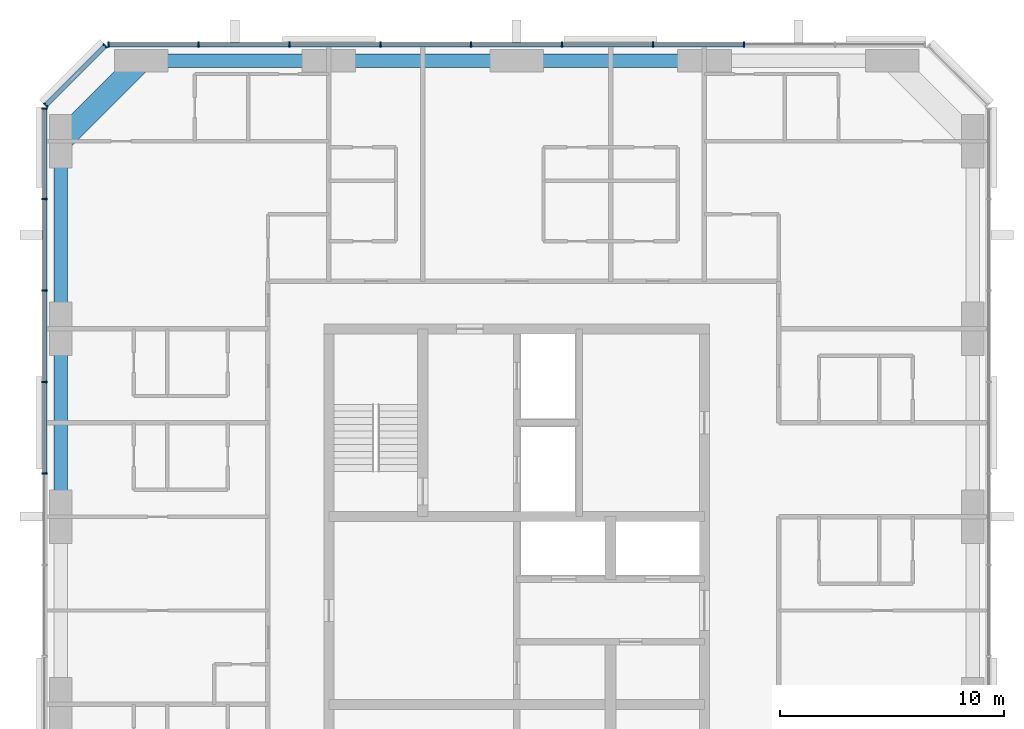
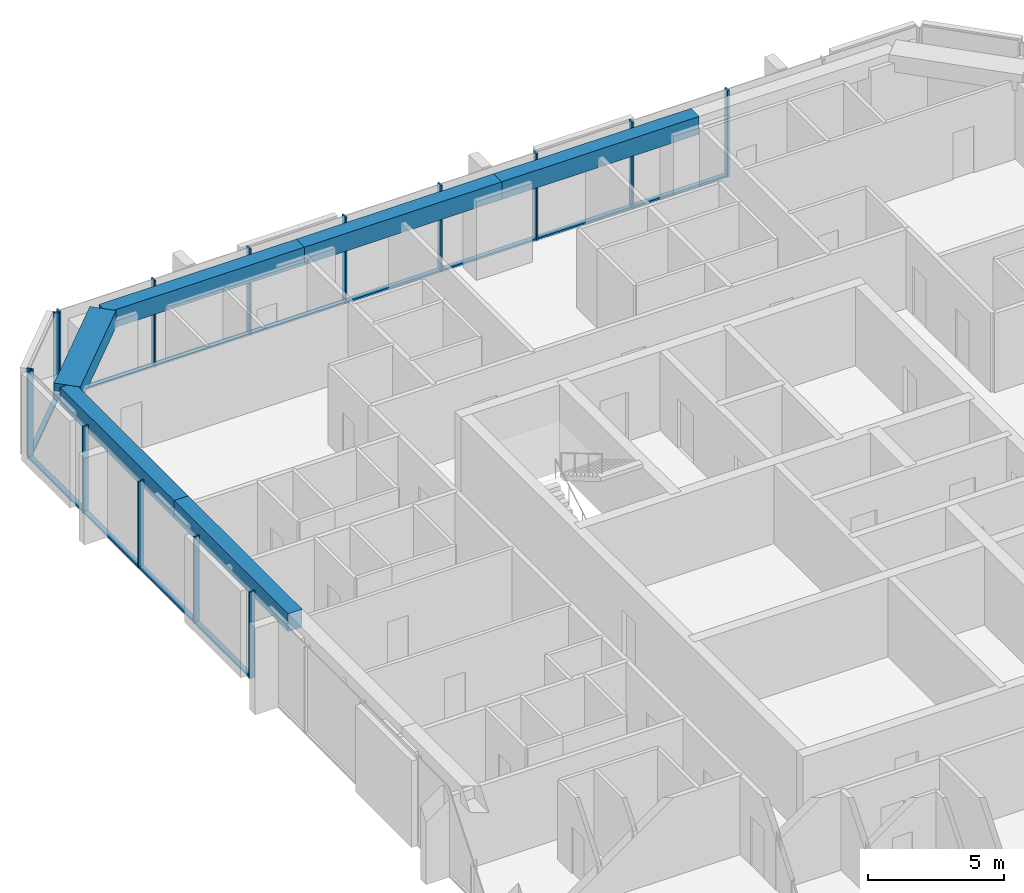
# One storey, part 4 of 12: 27 members, 6 beams, 3 elements without a shape of their own.
"""IFC4 building model written with IfcOpenShell, lengths in metres."""

from ifc_helpers import new_model, si_unit, direction, frame, origin, origin_2d, place, context, subcontext, project, spatial, rectangle, extrude, material, material_profile, profile_set, type_object, element, aggregate, save


model = new_model("IFC4")

# Units and contexts
model_context = context("Model", 3, precision=1e-05, world=origin(), true_north=direction((0.0, 1.0)))
body_context = subcontext(model_context, "Body", "Model", "MODEL_VIEW")
ifc_project = project(units=[si_unit("LENGTHUNIT", "METRE"), si_unit("AREAUNIT", "SQUARE_METRE"), si_unit("VOLUMEUNIT", "CUBIC_METRE"), si_unit("PLANEANGLEUNIT", "RADIAN"), si_unit("MASSUNIT", "GRAM", prefix="KILO")], contexts=[model_context])

# Site, building, storey
site_placement = place(None, origin())
site = spatial("IfcSite", under=ifc_project, at=site_placement, CompositionType="ELEMENT")
building_placement = place(site_placement, origin())
building = spatial("IfcBuilding", under=site, at=building_placement, Name="Dunama Terrace Hotel", CompositionType="ELEMENT")
storey_placement = place(building_placement, frame((0.0, 0.0, 272.39990234375)))
storey = spatial("IfcBuildingStorey", under=building, at=storey_placement, Name="L70", CompositionType="ELEMENT", Elevation=272.39990234375)

# Curtain wall, members
ifc_material_1 = material(Name="Aluminium curtain wall system", Category="aluminium")
curtain_wall_type = type_object("IfcCurtainWallType", Name="Unitised fritted glass wall CW-D", PredefinedType="NOTDEFINED", material=ifc_material_1)
curtain_wall_1_placement = place(storey_placement, origin())
curtain_wall_1 = element("IfcCurtainWall", 1, at=curtain_wall_1_placement, inside=storey, type_object=curtain_wall_type, Name="Unitised fritted glass wall CW-D L70", PredefinedType="NOTDEFINED")
ifc_material_2 = material(Name="Aluminium mullion", Category="aluminium")
ifc_material_profile_1 = material_profile(ifc_material_2, rectangle(XDim=0.070068359375, YDim=0.239990234375, at=origin_2d()), Name="CWD MULLION 70X240")
ifc_profile_set_1 = profile_set([ifc_material_profile_1], Name="Aluminium mullion")
member_type_1 = type_object("IfcMemberType", Name="CWD mullion 70x240", PredefinedType="MULLION", material=ifc_profile_set_1)
member_1_placement = place(storey_placement, frame((43.76708984375, 54.719970703125, 0.0), z_axis=(0.0, 0.0, 1.0), x_axis=(-1.0, 0.0, 0.0)))
member_1 = element("IfcMember", 2, at=member_1_placement, type_object=member_type_1, Name="CWD mullion", PredefinedType="MULLION", context=body_context, shape_type="SweptSolid", body=[
    extrude(rectangle(XDim=0.070068359375, YDim=0.239990234375, at=origin_2d()), origin(), (0.0, 0.0, 1.0), 3.900146484375),
])
member_2_placement = place(storey_placement, frame((39.699951171875, 54.719970703125, 0.0), z_axis=(0.0, 0.0, 1.0), x_axis=(-1.0, 0.0, 0.0)))
member_2 = element("IfcMember", 3, at=member_2_placement, type_object=member_type_1, Name="CWD mullion", PredefinedType="MULLION", context=body_context, shape_type="SweptSolid", body=[
    extrude(rectangle(XDim=0.070068359375, YDim=0.239990234375, at=origin_2d()), origin(), (0.0, 0.0, 1.0), 3.900146484375),
])
member_3_placement = place(storey_placement, frame((35.633056640625, 54.719970703125, 0.0), z_axis=(0.0, 0.0, 1.0), x_axis=(-1.0, 0.0, 0.0)))
member_3 = element("IfcMember", 4, at=member_3_placement, type_object=member_type_1, Name="CWD mullion", PredefinedType="MULLION", context=body_context, shape_type="SweptSolid", body=[
    extrude(rectangle(XDim=0.070068359375, YDim=0.239990234375, at=origin_2d()), origin(), (0.0, 0.0, 1.0), 3.900146484375),
])
member_4_placement = place(storey_placement, frame((31.56689453125, 54.719970703125, 0.0), z_axis=(0.0, 0.0, 1.0), x_axis=(-1.0, 0.0, 0.0)))
member_4 = element("IfcMember", 5, at=member_4_placement, type_object=member_type_1, Name="CWD mullion", PredefinedType="MULLION", context=body_context, shape_type="SweptSolid", body=[
    extrude(rectangle(XDim=0.070068359375, YDim=0.239990234375, at=origin_2d()), origin(), (0.0, 0.0, 1.0), 3.900146484375),
])
member_5_placement = place(storey_placement, frame((27.5, 54.719970703125, 0.0), z_axis=(0.0, 0.0, 1.0), x_axis=(-1.0, 0.0, 0.0)))
member_5 = element("IfcMember", 6, at=member_5_placement, type_object=member_type_1, Name="CWD mullion", PredefinedType="MULLION", context=body_context, shape_type="SweptSolid", body=[
    extrude(rectangle(XDim=0.070068359375, YDim=0.239990234375, at=origin_2d()), origin(), (0.0, 0.0, 1.0), 3.900146484375),
])
member_6_placement = place(storey_placement, frame((23.43310546875, 54.719970703125, 0.0), z_axis=(0.0, 0.0, 1.0), x_axis=(-1.0, 0.0, 0.0)))
member_6 = element("IfcMember", 7, at=member_6_placement, type_object=member_type_1, Name="CWD mullion", PredefinedType="MULLION", context=body_context, shape_type="SweptSolid", body=[
    extrude(rectangle(XDim=0.070068359375, YDim=0.239990234375, at=origin_2d()), origin(), (0.0, 0.0, 1.0), 3.900146484375),
])
member_7_placement = place(storey_placement, frame((19.366943359375, 54.719970703125, 0.0), z_axis=(0.0, 0.0, 1.0), x_axis=(-1.0, 0.0, 0.0)))
member_7 = element("IfcMember", 8, at=member_7_placement, type_object=member_type_1, Name="CWD mullion", PredefinedType="MULLION", context=body_context, shape_type="SweptSolid", body=[
    extrude(rectangle(XDim=0.070068359375, YDim=0.239990234375, at=origin_2d()), origin(), (0.0, 0.0, 1.0), 3.900146484375),
])
member_8_placement = place(storey_placement, frame((15.3349609375, 54.719970703125, 0.0), z_axis=(0.0, 0.0, 1.0), x_axis=(-1.0, 0.0, 0.0)))
member_8 = element("IfcMember", 9, at=member_8_placement, type_object=member_type_1, Name="CWD mullion", PredefinedType="MULLION", context=body_context, shape_type="SweptSolid", body=[
    extrude(rectangle(XDim=0.070068359375, YDim=0.239990234375, at=origin_2d()), origin(), (0.0, 0.0, 1.0), 3.900146484375),
])

curtain_wall_2_placement = place(storey_placement, origin())
curtain_wall_2 = element("IfcCurtainWall", 10, at=curtain_wall_2_placement, inside=storey, type_object=curtain_wall_type, Name="Unitised fritted glass wall CW-D L70", PredefinedType="NOTDEFINED")
member_9_placement = place(storey_placement, frame((15.18994140625, 54.659912109375, 0.0), z_axis=(0.0, 0.0, 1.0), x_axis=(-0.707106781187, -0.707106781187, 0.0)))
member_9 = element("IfcMember", 11, at=member_9_placement, type_object=member_type_1, Name="CWD mullion", PredefinedType="MULLION", context=body_context, shape_type="SweptSolid", body=[
    extrude(rectangle(XDim=0.070068359375, YDim=0.239990234375, at=origin_2d()), origin(), (0.0, 0.0, 1.0), 3.900146484375),
])
member_10_placement = place(storey_placement, frame((12.5400390625, 52.010009765625, 0.0), z_axis=(0.0, 0.0, 1.0), x_axis=(-0.707106781187, -0.707106781187, 0.0)))
member_10 = element("IfcMember", 12, at=member_10_placement, type_object=member_type_1, Name="CWD mullion", PredefinedType="MULLION", context=body_context, shape_type="SweptSolid", body=[
    extrude(rectangle(XDim=0.070068359375, YDim=0.239990234375, at=origin_2d()), origin(), (0.0, 0.0, 1.0), 3.900146484375),
])

curtain_wall_3_placement = place(storey_placement, origin())
curtain_wall_3 = element("IfcCurtainWall", 13, at=curtain_wall_3_placement, inside=storey, type_object=curtain_wall_type, Name="Unitised fritted glass wall CW-D L70", PredefinedType="NOTDEFINED")
member_11_placement = place(storey_placement, frame((12.47998046875, 51.864990234375, 0.0), z_axis=(0.0, 0.0, 1.0), x_axis=(0.0, -1.0, 0.0)))
member_11 = element("IfcMember", 14, at=member_11_placement, type_object=member_type_1, Name="CWD mullion", PredefinedType="MULLION", context=body_context, shape_type="SweptSolid", body=[
    extrude(rectangle(XDim=0.070068359375, YDim=0.239990234375, at=origin_2d()), origin(), (0.0, 0.0, 1.0), 3.900146484375),
])
member_12_placement = place(storey_placement, frame((12.47998046875, 47.80908203125, 0.0), z_axis=(0.0, 0.0, 1.0), x_axis=(0.0, -1.0, 0.0)))
member_12 = element("IfcMember", 15, at=member_12_placement, type_object=member_type_1, Name="CWD mullion", PredefinedType="MULLION", context=body_context, shape_type="SweptSolid", body=[
    extrude(rectangle(XDim=0.070068359375, YDim=0.239990234375, at=origin_2d()), origin(), (0.0, 0.0, 1.0), 3.900146484375),
])
member_13_placement = place(storey_placement, frame((12.47998046875, 43.718017578125, 0.0), z_axis=(0.0, 0.0, 1.0), x_axis=(0.0, -1.0, 0.0)))
member_13 = element("IfcMember", 16, at=member_13_placement, type_object=member_type_1, Name="CWD mullion", PredefinedType="MULLION", context=body_context, shape_type="SweptSolid", body=[
    extrude(rectangle(XDim=0.070068359375, YDim=0.239990234375, at=origin_2d()), origin(), (0.0, 0.0, 1.0), 3.900146484375),
])
member_14_placement = place(storey_placement, frame((12.47998046875, 39.626953125, 0.0), z_axis=(0.0, 0.0, 1.0), x_axis=(0.0, -1.0, 0.0)))
member_14 = element("IfcMember", 17, at=member_14_placement, type_object=member_type_1, Name="CWD mullion", PredefinedType="MULLION", context=body_context, shape_type="SweptSolid", body=[
    extrude(rectangle(XDim=0.070068359375, YDim=0.239990234375, at=origin_2d()), origin(), (0.0, 0.0, 1.0), 3.900146484375),
])
member_15_placement = place(storey_placement, frame((12.47998046875, 35.535888671875, 0.0), z_axis=(0.0, 0.0, 1.0), x_axis=(0.0, -1.0, 0.0)))
member_15 = element("IfcMember", 18, at=member_15_placement, type_object=member_type_1, Name="CWD mullion", PredefinedType="MULLION", context=body_context, shape_type="SweptSolid", body=[
    extrude(rectangle(XDim=0.070068359375, YDim=0.239990234375, at=origin_2d()), origin(), (0.0, 0.0, 1.0), 3.900146484375),
])

# Member
ifc_material_3 = material(Name="Aluminium transom", Category="aluminium")
ifc_material_profile_2 = material_profile(ifc_material_3, rectangle(XDim=0.199951171875, YDim=0.0849609375, at=origin_2d()), Name="CWD TRANSOM 200X85")
ifc_profile_set_2 = profile_set([ifc_material_profile_2], Name="Aluminium transom")
member_type_2 = type_object("IfcMemberType", Name="CWD transom 200x85", PredefinedType="USERDEFINED", material=ifc_profile_set_2)
member_16_placement = place(storey_placement, frame((43.73193359375, 54.719970703125, 0.04248046875), z_axis=(-1.0, 0.0, 0.0), x_axis=(0.0, -1.0, 0.0)))
member_16 = element("IfcMember", 19, at=member_16_placement, type_object=member_type_2, Name="CWD transom", ObjectType="TRANSOM", PredefinedType="USERDEFINED", context=body_context, shape_type="SweptSolid", body=[
    extrude(rectangle(XDim=0.199951171875, YDim=0.0849609375, at=origin_2d()), origin(), (0.0, 0.0, 1.0), 3.996826171875),
])

member_17_placement = place(storey_placement, frame((39.6650390625, 54.719970703125, 0.04248046875), z_axis=(-1.0, 0.0, 0.0), x_axis=(0.0, -1.0, 0.0)))
member_17 = element("IfcMember", 20, at=member_17_placement, type_object=member_type_2, Name="CWD transom", ObjectType="TRANSOM", PredefinedType="USERDEFINED", context=body_context, shape_type="SweptSolid", body=[
    extrude(rectangle(XDim=0.199951171875, YDim=0.0849609375, at=origin_2d()), origin(), (0.0, 0.0, 1.0), 3.9970703125),
])

member_18_placement = place(storey_placement, frame((35.597900390625, 54.719970703125, 0.04248046875), z_axis=(-1.0, 0.0, 0.0), x_axis=(0.0, -1.0, 0.0)))
member_18 = element("IfcMember", 21, at=member_18_placement, type_object=member_type_2, Name="CWD transom", ObjectType="TRANSOM", PredefinedType="USERDEFINED", context=body_context, shape_type="SweptSolid", body=[
    extrude(rectangle(XDim=0.199951171875, YDim=0.0849609375, at=origin_2d()), origin(), (0.0, 0.0, 1.0), 3.995849609375),
])

member_19_placement = place(storey_placement, frame((31.531982421875, 54.719970703125, 0.04248046875), z_axis=(-1.0, 0.0, 0.0), x_axis=(0.0, -1.0, 0.0)))
member_19 = element("IfcMember", 22, at=member_19_placement, type_object=member_type_2, Name="CWD transom", ObjectType="TRANSOM", PredefinedType="USERDEFINED", context=body_context, shape_type="SweptSolid", body=[
    extrude(rectangle(XDim=0.199951171875, YDim=0.0849609375, at=origin_2d()), origin(), (0.0, 0.0, 1.0), 3.9970703125),
])

member_20_placement = place(storey_placement, frame((27.465087890625, 54.719970703125, 0.04248046875), z_axis=(-1.0, 0.0, 0.0), x_axis=(0.0, -1.0, 0.0)))
member_20 = element("IfcMember", 23, at=member_20_placement, type_object=member_type_2, Name="CWD transom", ObjectType="TRANSOM", PredefinedType="USERDEFINED", context=body_context, shape_type="SweptSolid", body=[
    extrude(rectangle(XDim=0.199951171875, YDim=0.0849609375, at=origin_2d()), origin(), (0.0, 0.0, 1.0), 3.9970703125),
])

member_21_placement = place(storey_placement, frame((23.39794921875, 54.719970703125, 0.04248046875), z_axis=(-1.0, 0.0, 0.0), x_axis=(0.0, -1.0, 0.0)))
member_21 = element("IfcMember", 24, at=member_21_placement, type_object=member_type_2, Name="CWD transom", ObjectType="TRANSOM", PredefinedType="USERDEFINED", context=body_context, shape_type="SweptSolid", body=[
    extrude(rectangle(XDim=0.199951171875, YDim=0.0849609375, at=origin_2d()), origin(), (0.0, 0.0, 1.0), 3.995849609375),
])

member_22_placement = place(storey_placement, frame((19.33203125, 54.719970703125, 0.04248046875), z_axis=(-1.0, 0.0, 0.0), x_axis=(0.0, -1.0, 0.0)))
member_22 = element("IfcMember", 25, at=member_22_placement, type_object=member_type_2, Name="CWD transom", ObjectType="TRANSOM", PredefinedType="USERDEFINED", context=body_context, shape_type="SweptSolid", body=[
    extrude(rectangle(XDim=0.199951171875, YDim=0.0849609375, at=origin_2d()), origin(), (0.0, 0.0, 1.0), 3.9619140625),
])

aggregate(curtain_wall_1, [member_1, member_2, member_3, member_4, member_5, member_6, member_7, member_8, member_16, member_17, member_18, member_19, member_20, member_21, member_22])

member_23_placement = place(storey_placement, frame((15.166015625, 54.635009765625, 0.04248046875), z_axis=(-0.707106781187, -0.707106781187, 0.0), x_axis=(0.707106781187, -0.707106781187, 0.0)))
member_23 = element("IfcMember", 26, at=member_23_placement, type_object=member_type_2, Name="CWD transom", ObjectType="TRANSOM", PredefinedType="USERDEFINED", context=body_context, shape_type="SweptSolid", body=[
    extrude(rectangle(XDim=0.199951171875, YDim=0.0849609375, at=origin_2d()), origin(), (0.0, 0.0, 1.0), 3.678466796875),
])

aggregate(curtain_wall_2, [member_9, member_10, member_23])

member_24_placement = place(storey_placement, frame((12.47998046875, 51.830078125, 0.04248046875), z_axis=(0.0, -1.0, 0.0), x_axis=(1.0, 0.0, 0.0)))
member_24 = element("IfcMember", 27, at=member_24_placement, type_object=member_type_2, Name="CWD transom", ObjectType="TRANSOM", PredefinedType="USERDEFINED", context=body_context, shape_type="SweptSolid", body=[
    extrude(rectangle(XDim=0.199951171875, YDim=0.0849609375, at=origin_2d()), origin(), (0.0, 0.0, 1.0), 3.986083984375),
])

member_25_placement = place(storey_placement, frame((12.47998046875, 47.77392578125, 0.04248046875), z_axis=(0.0, -1.0, 0.0), x_axis=(1.0, 0.0, 0.0)))
member_25 = element("IfcMember", 28, at=member_25_placement, type_object=member_type_2, Name="CWD transom", ObjectType="TRANSOM", PredefinedType="USERDEFINED", context=body_context, shape_type="SweptSolid", body=[
    extrude(rectangle(XDim=0.199951171875, YDim=0.0849609375, at=origin_2d()), origin(), (0.0, 0.0, 1.0), 4.02099609375),
])

member_26_placement = place(storey_placement, frame((12.47998046875, 43.68310546875, 0.04248046875), z_axis=(0.0, -1.0, 0.0), x_axis=(1.0, 0.0, 0.0)))
member_26 = element("IfcMember", 29, at=member_26_placement, type_object=member_type_2, Name="CWD transom", ObjectType="TRANSOM", PredefinedType="USERDEFINED", context=body_context, shape_type="SweptSolid", body=[
    extrude(rectangle(XDim=0.199951171875, YDim=0.0849609375, at=origin_2d()), origin(), (0.0, 0.0, 1.0), 4.02099609375),
])

member_27_placement = place(storey_placement, frame((12.47998046875, 39.592041015625, 0.04248046875), z_axis=(0.0, -1.0, 0.0), x_axis=(1.0, 0.0, 0.0)))
member_27 = element("IfcMember", 30, at=member_27_placement, type_object=member_type_2, Name="CWD transom", ObjectType="TRANSOM", PredefinedType="USERDEFINED", context=body_context, shape_type="SweptSolid", body=[
    extrude(rectangle(XDim=0.199951171875, YDim=0.0849609375, at=origin_2d()), origin(), (0.0, 0.0, 1.0), 4.02099609375),
])

aggregate(curtain_wall_3, [member_11, member_12, member_13, member_14, member_15, member_24, member_25, member_26, member_27])

# Beams
ifc_material_4 = material(Name="Concrete C50/60", Category="concrete")
ifc_material_profile_3 = material_profile(ifc_material_4, rectangle(XDim=1.0, YDim=0.75, at=origin_2d()), Name="RC 1000x750")
ifc_profile_set_3 = profile_set([ifc_material_profile_3], Name="Concrete C50/60")
beam_type_1 = type_object("IfcBeamType", Name="Edge beam RC 1000x750", PredefinedType="SPANDREL", material=ifc_profile_set_3)
beam_1_placement = place(storey_placement, frame((16.800048828125, 54.0, 3.525146484375), z_axis=(-0.707106781187, -0.707106781187, 0.0), x_axis=(0.707106781187, -0.707106781187, 0.0)))
element("IfcBeam", 31, at=beam_1_placement, inside=storey, type_object=beam_type_1, Name="Corner edge beam under L71", PredefinedType="SPANDREL", context=body_context, shape_type="SweptSolid", body=[
    extrude(rectangle(XDim=1.0, YDim=0.75, at=origin_2d()), origin(), (0.0, 0.0, 1.0), 5.09130859375),
])
ifc_material_5 = material(Name="Concrete C40/50", Category="concrete")
ifc_material_profile_4 = material_profile(ifc_material_5, rectangle(XDim=0.60009765625, YDim=0.800048828125, at=origin_2d()), Name="RC 600x800")
ifc_profile_set_4 = profile_set([ifc_material_profile_4], Name="Concrete C40/50")
beam_type_2 = type_object("IfcBeamType", Name="Edge beam RC 600x800", PredefinedType="SPANDREL", material=ifc_profile_set_4)
for number, where, z_axis, x_axis, name in (
    (32, (13.199951171875, 33.60009765625, 3.5), (0.0, 1.0, 0.0), (-1.0, 0.0, 0.0), "Edge beam under L71"),
    (33, (13.199951171875, 42.0, 3.5), (0.0, 1.0, 0.0), (-1.0, 0.0, 0.0), "Edge beam under L71"),
    (34, (16.800048828125, 54.0, 3.5), (1.0, 0.0, 0.0), (0.0, 1.0, 0.0), "Edge beam under L71"),
):
    element("IfcBeam", number, at=place(storey_placement, frame(where, z_axis=z_axis, x_axis=x_axis)), inside=storey, type_object=beam_type_2, Name=name, PredefinedType="SPANDREL", context=body_context, shape_type="SweptSolid", body=[
        extrude(rectangle(XDim=0.60009765625, YDim=0.800048828125, at=origin_2d()), origin(), (0.0, 0.0, 1.0), 8.39990234375),
    ])
beam_2_placement = place(storey_placement, frame((25.199951171875, 54.0, 3.5), z_axis=(1.0, 0.0, 0.0), x_axis=(0.0, 1.0, 0.0)))
element("IfcBeam", 35, at=beam_2_placement, inside=storey, type_object=beam_type_2, Name="Edge beam under L71", PredefinedType="SPANDREL", context=body_context, shape_type="SweptSolid", body=[
    extrude(rectangle(XDim=0.60009765625, YDim=0.800048828125, at=origin_2d()), origin(), (0.0, 0.0, 1.0), 8.400146484375),
])
beam_3_placement = place(storey_placement, frame((33.60009765625, 54.0, 3.5), z_axis=(1.0, 0.0, 0.0), x_axis=(0.0, 1.0, 0.0)))
element("IfcBeam", 36, at=beam_3_placement, inside=storey, type_object=beam_type_2, Name="Edge beam under L71", PredefinedType="SPANDREL", context=body_context, shape_type="SweptSolid", body=[
    extrude(rectangle(XDim=0.60009765625, YDim=0.800048828125, at=origin_2d()), origin(), (0.0, 0.0, 1.0), 8.39990234375),
])

save(model, "model.ifc")
